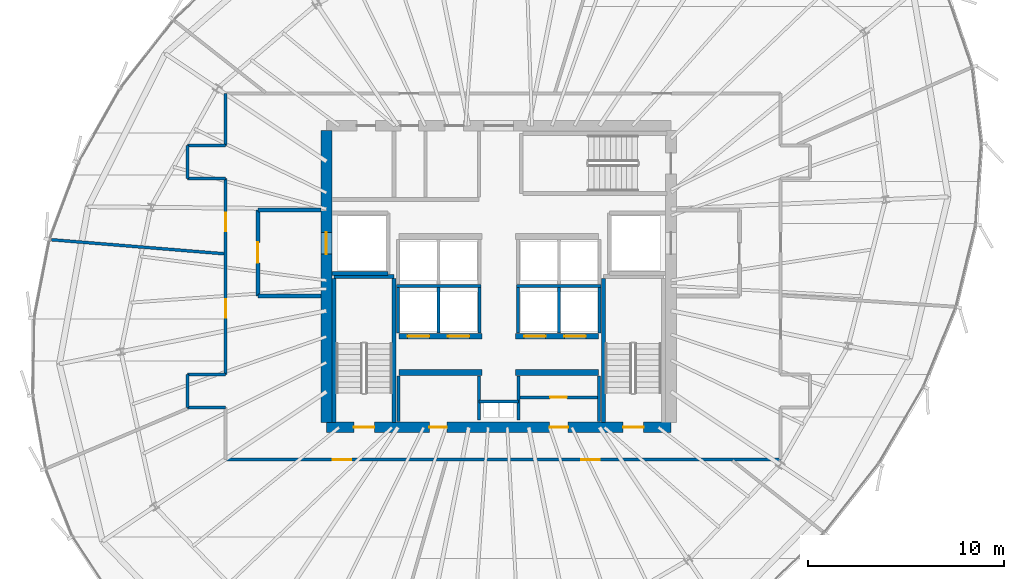
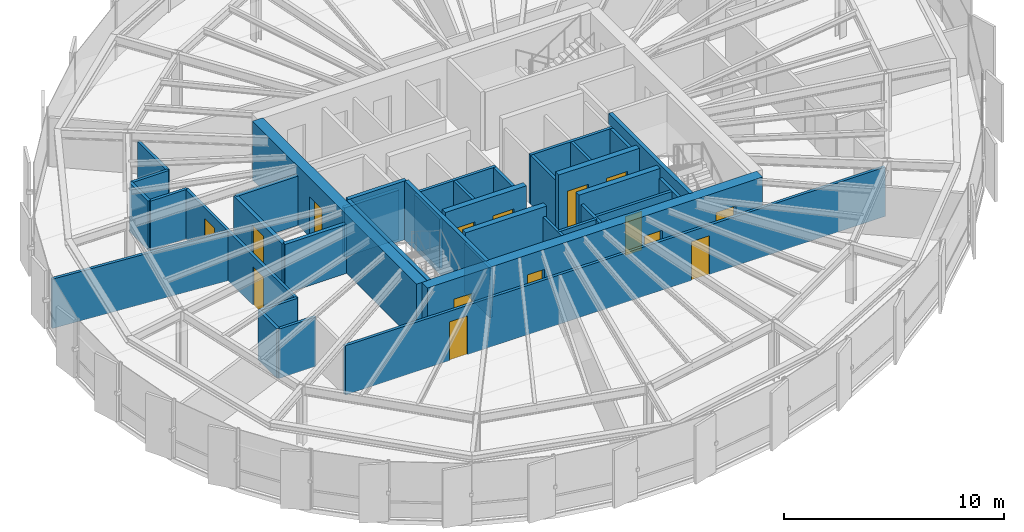
# One storey, part 30 of 35: 38 walls, 15 doors, 15 openings.
"""IFC4 building model written with IfcOpenShell, lengths in metres."""

from ifc_helpers import new_model, si_unit, direction, frame, frame_2d, origin, place, context, subcontext, project, spatial, rectangle, extrude, source, transform, mapped, material, layer, layer_set, type_object, element, fill, save


model = new_model("IFC4")

# Units and contexts
model_context = context("Model", 3, precision=1e-05, world=origin(), true_north=direction((0.0, 1.0)))
body_context = subcontext(model_context, "Body", "Model", "MODEL_VIEW")
ifc_project = project(units=[si_unit("LENGTHUNIT", "METRE"), si_unit("AREAUNIT", "SQUARE_METRE"), si_unit("VOLUMEUNIT", "CUBIC_METRE"), si_unit("PLANEANGLEUNIT", "RADIAN"), si_unit("MASSUNIT", "GRAM", prefix="KILO"), si_unit("THERMODYNAMICTEMPERATUREUNIT", "KELVIN")], contexts=[model_context])

# Site, building, storey
site_placement = place(None, origin())
site = spatial("IfcSite", under=ifc_project, at=site_placement, CompositionType="ELEMENT")
building_placement = place(site_placement, origin())
building = spatial("IfcBuilding", under=site, at=building_placement, Name="Kethvar Cultural Tower", CompositionType="ELEMENT")
storey_placement = place(building_placement, frame((0.0, 0.0, 193.89990234375)))
storey = spatial("IfcBuildingStorey", under=building, at=storey_placement, Name="L50", CompositionType="ELEMENT", Elevation=193.89990234375)

# Wall, openings, doors
ifc_material_1 = material(Name="Concrete C60/75", Category="concrete")
ifc_layer_1 = layer(ifc_material_1, 0.550048828125, Name="Concrete C60/75", Category="concrete")
ifc_layer_set_1 = layer_set([ifc_layer_1], Name="Concrete C60/75 (550 mm)")
wall_type_1 = type_object("IfcWallType", Name="WL-CORE-550", PredefinedType="SHEAR", material=ifc_layer_set_1)
wall_1_placement = place(storey_placement, frame((38.0, 20.10009765625, 0.0), z_axis=(0.0, 0.0, 1.0), x_axis=(1.0, 0.0, 0.0)))
wall_1 = element("IfcWall", 1, at=wall_1_placement, inside=storey, type_object=wall_type_1, Name="L50 Core Shear Wall S", PredefinedType="SHEAR", context=body_context, shape_type="SweptSolid", body=[
    extrude(rectangle(XDim=17.60009765625, YDim=0.550048828125, at=frame_2d((8.800048828125, 0.0))), origin(), (0.0, 0.0, 1.0), 3.260009765625),
])
opening_1_placement = place(wall_1_placement, frame((1.39990234375, 0.0, 0.0)))
opening_1 = element("IfcOpeningElement", 2, at=opening_1_placement, cuts=wall_1, Name="Opening D-L50-S1", PredefinedType="OPENING", context=body_context, shape_type="SweptSolid", body=[
    extrude(rectangle(XDim=1.050048828125, YDim=2.14990234375, at=frame_2d((0.52490234375, 1.074951171875))), frame((0.0, 0.284912109375, 0.0), z_axis=(0.0, -1.0, 0.0), x_axis=(1.0, 0.0, 0.0)), (0.0, 0.0, 1.0), 0.570068359375),
])
opening_2_placement = place(wall_1_placement, frame((15.14990234375, 0.0, 0.0)))
opening_2 = element("IfcOpeningElement", 3, at=opening_2_placement, cuts=wall_1, Name="Opening D-L50-ST2", PredefinedType="OPENING", context=body_context, shape_type="SweptSolid", body=[
    extrude(rectangle(XDim=1.050048828125, YDim=2.14990234375, at=frame_2d((0.52490234375, 1.074951171875))), frame((0.0, 0.284912109375, 0.0), z_axis=(0.0, -1.0, 0.0), x_axis=(1.0, 0.0, 0.0)), (0.0, 0.0, 1.0), 0.570068359375),
])
opening_3_placement = place(wall_1_placement, frame((5.25, 0.0, 0.0)))
opening_3 = element("IfcOpeningElement", 4, at=opening_3_placement, cuts=wall_1, Name="Opening D-L50-V1", PredefinedType="OPENING", context=body_context, shape_type="SweptSolid", body=[
    extrude(rectangle(XDim=0.89990234375, YDim=2.14990234375, at=frame_2d((0.449951171875, 1.074951171875))), frame((0.0, 0.284912109375, 0.0), z_axis=(0.0, -1.0, 0.0), x_axis=(1.0, 0.0, 0.0)), (0.0, 0.0, 1.0), 0.570068359375),
])
opening_4_placement = place(wall_1_placement, frame((11.39990234375, 0.0, 0.0)))
opening_4 = element("IfcOpeningElement", 5, at=opening_4_placement, cuts=wall_1, Name="Opening D-L50-V2", PredefinedType="OPENING", context=body_context, shape_type="SweptSolid", body=[
    extrude(rectangle(XDim=0.949951171875, YDim=2.14990234375, at=frame_2d((0.47509765625, 1.074951171875))), frame((0.0, 0.284912109375, 0.0), z_axis=(0.0, -1.0, 0.0), x_axis=(1.0, 0.0, 0.0)), (0.0, 0.0, 1.0), 0.570068359375),
])
ifc_material_2 = material(Name="Steel S355J2", Category="steel")
door_type_1 = type_object("IfcDoorType", Name="DR-FD60-1050", OperationType="NOTDEFINED", PredefinedType="DOOR", material=ifc_material_2)
shared_shape_1 = source(origin(), body_context, "Body", "SweptSolid", [
    extrude(rectangle(XDim=1.050048828125, YDim=2.14990234375, at=frame_2d((0.52490234375, 1.074951171875))), frame((0.0, 0.02490234375, 0.0), z_axis=(0.0, -1.0, 0.0), x_axis=(1.0, 0.0, 0.0)), (0.0, 0.0, 1.0), 0.050048828125),
])
door_1_placement = place(opening_1_placement, origin())
door_1 = element("IfcDoor", 6, at=door_1_placement, inside=storey, type_object=door_type_1, Name="L50 Exit Stair 1 Door", OperationType="SINGLE_SWING_LEFT", OverallHeight=2.14990234375, OverallWidth=1.050048828125, PredefinedType="DOOR", context=body_context, shape_type="MappedRepresentation", body=[
    mapped(shared_shape_1, transform((0.0, 0.0, 0.0), scale=1.0)),
])
fill(opening_1, door_1)
door_2_placement = place(opening_2_placement, origin())
door_2 = element("IfcDoor", 7, at=door_2_placement, inside=storey, type_object=door_type_1, Name="L50 Exit Stair 2 Door", OperationType="SINGLE_SWING_RIGHT", OverallHeight=2.14990234375, OverallWidth=1.050048828125, PredefinedType="DOOR", context=body_context, shape_type="MappedRepresentation", body=[
    mapped(shared_shape_1, transform((0.0, 0.0, 0.0), scale=1.0)),
])
fill(opening_2, door_2)
ifc_material_3 = material(Name="Architectural Oak Timber", Category="wood")
door_type_2 = type_object("IfcDoorType", Name="DR-FD30-950", OperationType="NOTDEFINED", PredefinedType="DOOR", material=ifc_material_3)
shared_shape_2 = source(origin(), body_context, "Body", "SweptSolid", [
    extrude(rectangle(XDim=0.949951171875, YDim=2.14990234375, at=frame_2d((0.47509765625, 1.074951171875))), frame((0.0, 0.02490234375, 0.0), z_axis=(0.0, -1.0, 0.0), x_axis=(1.0, 0.0, 0.0)), (0.0, 0.0, 1.0), 0.050048828125),
])
door_3_placement = place(opening_4_placement, origin())
door_3 = element("IfcDoor", 8, at=door_3_placement, inside=storey, type_object=door_type_2, Name="L50 Bindery Supply Door", OperationType="SINGLE_SWING_RIGHT", OverallHeight=2.14990234375, OverallWidth=0.949951171875, PredefinedType="DOOR", context=body_context, shape_type="MappedRepresentation", body=[
    mapped(shared_shape_2, transform((0.0, 0.0, 0.0), scale=1.0)),
])
fill(opening_4, door_3)
door_type_3 = type_object("IfcDoorType", Name="DR-FD30-900", OperationType="NOTDEFINED", PredefinedType="DOOR", material=ifc_material_3)
shared_shape_3 = source(origin(), body_context, "Body", "SweptSolid", [
    extrude(rectangle(XDim=0.89990234375, YDim=2.14990234375, at=frame_2d((0.449951171875, 1.074951171875))), frame((0.0, 0.02490234375, 0.0), z_axis=(0.0, -1.0, 0.0), x_axis=(1.0, 0.0, 0.0)), (0.0, 0.0, 1.0), 0.050048828125),
])
door_4_placement = place(opening_3_placement, origin())
door_4 = element("IfcDoor", 9, at=door_4_placement, inside=storey, type_object=door_type_3, Name="L50 Folio Vault Door", OperationType="SINGLE_SWING_LEFT", OverallHeight=2.14990234375, OverallWidth=0.89990234375, PredefinedType="DOOR", context=body_context, shape_type="MappedRepresentation", body=[
    mapped(shared_shape_3, transform((0.0, 0.0, 0.0), scale=1.0)),
])
fill(opening_3, door_4)

# Wall, opening, door
wall_2_placement = place(storey_placement, frame((38.0, 35.260009765625, 0.0), z_axis=(0.0, 0.0, 1.0), x_axis=(0.0, -1.0, 0.0)))
wall_2 = element("IfcWall", 10, at=wall_2_placement, inside=storey, type_object=wall_type_1, Name="L50 Core Shear Wall W", PredefinedType="SHEAR", context=body_context, shape_type="SweptSolid", body=[
    extrude(rectangle(XDim=14.919921875, YDim=0.550048828125, at=frame_2d((7.4599609375, 0.0))), origin(), (0.0, 0.0, 1.0), 3.260009765625),
])
opening_5_placement = place(wall_2_placement, frame((5.2099609375, 0.0, 0.0)))
opening_5 = element("IfcOpeningElement", 11, at=opening_5_placement, cuts=wall_2, Name="Opening LD-1", PredefinedType="OPENING", context=body_context, shape_type="SweptSolid", body=[
    extrude(rectangle(XDim=1.10009765625, YDim=2.199951171875, at=frame_2d((0.550048828125, 1.10009765625))), frame((0.0, 0.284912109375, 0.0), z_axis=(0.0, -1.0, 0.0), x_axis=(1.0, 0.0, 0.0)), (0.0, 0.0, 1.0), 0.570068359375),
])
door_type_4 = type_object("IfcDoorType", Name="DR-LIFT-SLIDE-1100", OperationType="NOTDEFINED", PredefinedType="DOOR", material=ifc_material_2)
shared_shape_4 = source(origin(), body_context, "Body", "SweptSolid", [
    extrude(rectangle(XDim=1.10009765625, YDim=2.199951171875, at=frame_2d((0.550048828125, 1.10009765625))), frame((0.0, 0.02490234375, 0.0), z_axis=(0.0, -1.0, 0.0), x_axis=(1.0, 0.0, 0.0)), (0.0, 0.0, 1.0), 0.050048828125),
])
door_5_placement = place(opening_5_placement, origin())
door_5 = element("IfcDoor", 12, at=door_5_placement, inside=storey, type_object=door_type_4, Name="L50 Firefighting Lift Landing Door FFL-01", OperationType="SLIDING_TO_LEFT", OverallHeight=2.199951171875, OverallWidth=1.10009765625, PredefinedType="DOOR", context=body_context, shape_type="MappedRepresentation", body=[
    mapped(shared_shape_4, transform((0.0, 0.0, 0.0), scale=1.0)),
])
fill(opening_5, door_5)

# Walls
ifc_material_4 = material(Name="Gypsum Fireboard Partition")
ifc_layer_2 = layer(ifc_material_4, 0.14990234375, Name="Gypsum Fireboard Partition")
ifc_layer_set_2 = layer_set([ifc_layer_2], Name="Gypsum Fireboard Partition (150 mm)")
wall_type_2 = type_object("IfcWallType", Name="WL-FIRE-150", PredefinedType="PARTITIONING", material=ifc_layer_set_2)
wall_3_placement = place(storey_placement, frame((45.800048828125, 21.419921875, 0.0), z_axis=(0.0, 0.0, 1.0), x_axis=(1.0, 0.0, 0.0)))
element("IfcWall", 13, at=wall_3_placement, inside=storey, type_object=wall_type_2, Name="L50 Core Riser Wall", PredefinedType="PARTITIONING", context=body_context, shape_type="SweptSolid", body=[
    extrude(rectangle(XDim=2.0, YDim=0.14990234375, at=frame_2d((1.0, 0.0))), origin(), (0.0, 0.0, 1.0), 2.735107421875),
])
for number, where, z_axis, x_axis, name in (
    (14, (45.800048828125, 20.47998046875, 0.0), (0.0, 0.0, 1.0), (0.0, 1.0, 0.0), "L50 Core Riser West Wall"),
    (15, (47.800048828125, 20.47998046875, 0.0), (0.0, 0.0, 1.0), (0.0, 1.0, 0.0), "L50 Core Riser East Wall"),
):
    element("IfcWall", number, at=place(storey_placement, frame(where, z_axis=z_axis, x_axis=x_axis)), inside=storey, type_object=wall_type_2, Name=name, PredefinedType="PARTITIONING", context=body_context, shape_type="SweptSolid", body=[
        extrude(rectangle(XDim=2.239990234375, YDim=0.14990234375, at=frame_2d((1.1201171875, 0.0))), origin(), (0.0, 0.0, 1.0), 2.735107421875),
    ])
for number, where, z_axis, x_axis, name in (
    (16, (41.679931640625, 20.385009765625, 0.0), (0.0, 0.0, 1.0), (0.0, 1.0, 0.0), "L50 Reclaimed West Outer Wall"),
    (17, (51.919921875, 20.385009765625, 0.0), (0.0, 0.0, 1.0), (0.0, 1.0, 0.0), "L50 Reclaimed East Outer Wall"),
):
    element("IfcWall", number, at=place(storey_placement, frame(where, z_axis=z_axis, x_axis=x_axis)), inside=storey, type_object=wall_type_2, Name=name, PredefinedType="PARTITIONING", context=body_context, shape_type="SweptSolid", body=[
        extrude(rectangle(XDim=2.344970703125, YDim=0.14990234375, at=frame_2d((1.17236328125, 0.0))), origin(), (0.0, 0.0, 1.0), 2.735107421875),
    ])

# Wall, opening, door
wall_4_placement = place(storey_placement, frame((47.8798828125, 21.6201171875, 0.0), z_axis=(0.0, 0.0, 1.0), x_axis=(1.0, 0.0, 0.0)))
wall_4 = element("IfcWall", 18, at=wall_4_placement, inside=storey, type_object=wall_type_2, Name="L50 Pantry Gallery Wall E", PredefinedType="PARTITIONING", context=body_context, shape_type="SweptSolid", body=[
    extrude(rectangle(XDim=3.960205078125, YDim=0.14990234375, at=frame_2d((1.97998046875, 0.0))), origin(), (0.0, 0.0, 1.0), 2.735107421875),
])
opening_6_placement = place(wall_4_placement, frame((1.550048828125, 0.0, 0.0)))
opening_6 = element("IfcOpeningElement", 19, at=opening_6_placement, cuts=wall_4, Name="Opening D-L50-V3", PredefinedType="OPENING", context=body_context, shape_type="SweptSolid", body=[
    extrude(rectangle(XDim=0.85009765625, YDim=2.14990234375, at=frame_2d((0.425048828125, 1.074951171875))), frame((0.0, 0.0849609375, 0.0), z_axis=(0.0, -1.0, 0.0), x_axis=(1.0, 0.0, 0.0)), (0.0, 0.0, 1.0), 0.169921875),
])
door_type_5 = type_object("IfcDoorType", Name="DR-FD30-850", OperationType="NOTDEFINED", PredefinedType="DOOR", material=ifc_material_2)
shared_shape_5 = source(origin(), body_context, "Body", "SweptSolid", [
    extrude(rectangle(XDim=0.85009765625, YDim=2.14990234375, at=frame_2d((0.425048828125, 1.074951171875))), frame((0.0, 0.02490234375, 0.0), z_axis=(0.0, -1.0, 0.0), x_axis=(1.0, 0.0, 0.0)), (0.0, 0.0, 1.0), 0.050048828125),
])
door_6_placement = place(opening_6_placement, origin())
door_6 = element("IfcDoor", 20, at=door_6_placement, inside=storey, type_object=door_type_5, Name="L50 Inner Pantry Gallery Door", OperationType="SINGLE_SWING_RIGHT", OverallHeight=2.14990234375, OverallWidth=0.85009765625, PredefinedType="DOOR", context=body_context, shape_type="MappedRepresentation", body=[
    mapped(shared_shape_5, transform((0.0, 0.0, 0.0), scale=1.0)),
])
fill(opening_6, door_6)

# Walls
wall_5_placement = place(storey_placement, frame((41.580078125, 27.324951171875, 0.0), z_axis=(0.0, 0.0, 1.0), x_axis=(1.0, 0.0, 0.0)))
element("IfcWall", 21, at=wall_5_placement, inside=storey, type_object=wall_type_2, Name="L50 Mid-High Lift Shaft Back Wall W", PredefinedType="PARTITIONING", context=body_context, shape_type="SweptSolid", body=[
    extrude(rectangle(XDim=4.31982421875, YDim=0.14990234375, at=frame_2d((2.159912109375, 0.0))), origin(), (0.0, 0.0, 1.0), 2.735107421875),
])
wall_6_placement = place(storey_placement, frame((47.699951171875, 27.324951171875, 0.0), z_axis=(0.0, 0.0, 1.0), x_axis=(1.0, 0.0, 0.0)))
element("IfcWall", 22, at=wall_6_placement, inside=storey, type_object=wall_type_2, Name="L50 Mid-High Lift Shaft Back Wall E", PredefinedType="PARTITIONING", context=body_context, shape_type="SweptSolid", body=[
    extrude(rectangle(XDim=4.320068359375, YDim=0.14990234375, at=frame_2d((2.16015625, 0.0))), origin(), (0.0, 0.0, 1.0), 2.735107421875),
])
for number, where, z_axis, x_axis, name in (
    (23, (41.64990234375, 24.919921875, 0.0), (0.0, 0.0, 1.0), (0.0, 1.0, 0.0), "L50 Mid-Rise Lift Shaft Outer Wall W"),
    (24, (43.72509765625, 24.919921875, 0.0), (0.0, 0.0, 1.0), (0.0, 1.0, 0.0), "L50 Mid-Rise Lift Shaft Divider W"),
    (25, (45.824951171875, 24.919921875, 0.0), (0.0, 0.0, 1.0), (0.0, 1.0, 0.0), "L50 Mid-Rise Lift Shaft Concourse Wall W"),
    (26, (47.77490234375, 24.919921875, 0.0), (0.0, 0.0, 1.0), (0.0, 1.0, 0.0), "L50 Mid-Rise Lift Shaft Concourse Wall E"),
    (27, (49.875, 24.919921875, 0.0), (0.0, 0.0, 1.0), (0.0, 1.0, 0.0), "L50 Mid-Rise Lift Shaft Divider E"),
    (28, (51.949951171875, 24.919921875, 0.0), (0.0, 0.0, 1.0), (0.0, 1.0, 0.0), "L50 Mid-Rise Lift Shaft Outer Wall E"),
):
    element("IfcWall", number, at=place(storey_placement, frame(where, z_axis=z_axis, x_axis=x_axis)), inside=storey, type_object=wall_type_2, Name=name, PredefinedType="PARTITIONING", context=body_context, shape_type="SweptSolid", body=[
        extrude(rectangle(XDim=2.320068359375, YDim=0.14990234375, at=frame_2d((1.16015625, 0.0))), origin(), (0.0, 0.0, 1.0), 2.735107421875),
    ])

# Wall, openings, doors
wall_7_placement = place(storey_placement, frame((32.85009765625, 18.449951171875, 0.0), z_axis=(0.0, 0.0, 1.0), x_axis=(1.0, 0.0, 0.0)))
wall_7 = element("IfcWall", 29, at=wall_7_placement, inside=storey, type_object=wall_type_2, Name="L50 Corridor Rated Wall S", PredefinedType="PARTITIONING", context=body_context, shape_type="SweptSolid", body=[
    extrude(rectangle(XDim=28.349853515625, YDim=0.14990234375, at=frame_2d((14.1748046875, 0.0))), origin(), (0.0, 0.0, 1.0), 2.735107421875),
])
opening_7_placement = place(wall_7_placement, frame((5.460205078125, 0.0, 0.0)))
opening_7 = element("IfcOpeningElement", 30, at=opening_7_placement, cuts=wall_7, Name="Opening D-L50-01", PredefinedType="OPENING", context=body_context, shape_type="SweptSolid", body=[
    extrude(rectangle(XDim=0.949951171875, YDim=2.14990234375, at=frame_2d((0.47509765625, 1.074951171875))), frame((0.0, 0.0849609375, 0.0), z_axis=(0.0, -1.0, 0.0), x_axis=(1.0, 0.0, 0.0)), (0.0, 0.0, 1.0), 0.169921875),
])
opening_8_placement = place(wall_7_placement, frame((18.165283203125, 0.0, 0.0)))
opening_8 = element("IfcOpeningElement", 31, at=opening_8_placement, cuts=wall_7, Name="Opening D-L50-02", PredefinedType="OPENING", context=body_context, shape_type="SweptSolid", body=[
    extrude(rectangle(XDim=0.949951171875, YDim=2.14990234375, at=frame_2d((0.47509765625, 1.074951171875))), frame((0.0, 0.0849609375, 0.0), z_axis=(0.0, -1.0, 0.0), x_axis=(1.0, 0.0, 0.0)), (0.0, 0.0, 1.0), 0.169921875),
])
door_7_placement = place(opening_7_placement, origin())
door_7 = element("IfcDoor", 32, at=door_7_placement, inside=storey, type_object=door_type_2, Name="L50 Contemporary Art Salon 01 Door", OperationType="SINGLE_SWING_LEFT", OverallHeight=2.14990234375, OverallWidth=0.949951171875, PredefinedType="DOOR", context=body_context, shape_type="MappedRepresentation", body=[
    mapped(shared_shape_2, transform((0.0, 0.0, 0.0), scale=1.0)),
])
fill(opening_7, door_7)
door_8_placement = place(opening_8_placement, origin())
door_8 = element("IfcDoor", 33, at=door_8_placement, inside=storey, type_object=door_type_2, Name="L50 Main Public Reading Library 02 Door", OperationType="SINGLE_SWING_RIGHT", OverallHeight=2.14990234375, OverallWidth=0.949951171875, PredefinedType="DOOR", context=body_context, shape_type="MappedRepresentation", body=[
    mapped(shared_shape_2, transform((0.0, 0.0, 0.0), scale=1.0)),
])
fill(opening_8, door_8)

# Walls
wall_8_placement = place(storey_placement, frame((32.85009765625, 37.14990234375, 0.0), z_axis=(0.0, 0.0, 1.0), x_axis=(0.0, -1.0, 0.0)))
element("IfcWall", 34, at=wall_8_placement, inside=storey, type_object=wall_type_2, Name="L50 Corridor Rated Wall W2", PredefinedType="PARTITIONING", context=body_context, shape_type="SweptSolid", body=[
    extrude(rectangle(XDim=2.64990234375, YDim=0.14990234375, at=frame_2d((1.324951171875, 0.0))), origin(), (0.0, 0.0, 1.0), 2.735107421875),
])
wall_9_placement = place(storey_placement, frame((32.85009765625, 34.5, 0.0), z_axis=(0.0, 0.0, 1.0), x_axis=(-1.0, 0.0, 0.0)))
element("IfcWall", 35, at=wall_9_placement, inside=storey, type_object=wall_type_2, Name="L50 Corridor Rated Wall WNT", PredefinedType="PARTITIONING", context=body_context, shape_type="SweptSolid", body=[
    extrude(rectangle(XDim=1.9501953125, YDim=0.14990234375, at=frame_2d((0.97509765625, 0.0))), origin(), (0.0, 0.0, 1.0), 2.735107421875),
])
wall_10_placement = place(storey_placement, frame((30.89990234375, 34.5, 0.0), z_axis=(0.0, 0.0, 1.0), x_axis=(0.0, -1.0, 0.0)))
element("IfcWall", 36, at=wall_10_placement, inside=storey, type_object=wall_type_2, Name="L50 Corridor Rated Wall WN", PredefinedType="PARTITIONING", context=body_context, shape_type="SweptSolid", body=[
    extrude(rectangle(XDim=1.699951171875, YDim=0.14990234375, at=frame_2d((0.85009765625, 0.0))), origin(), (0.0, 0.0, 1.0), 2.735107421875),
])
wall_11_placement = place(storey_placement, frame((30.89990234375, 32.800048828125, 0.0), z_axis=(0.0, 0.0, 1.0), x_axis=(1.0, 0.0, 0.0)))
element("IfcWall", 37, at=wall_11_placement, inside=storey, type_object=wall_type_2, Name="L50 Corridor Rated Wall WNB", PredefinedType="PARTITIONING", context=body_context, shape_type="SweptSolid", body=[
    extrude(rectangle(XDim=1.9501953125, YDim=0.14990234375, at=frame_2d((0.97509765625, 0.0))), origin(), (0.0, 0.0, 1.0), 2.735107421875),
])

# Wall, openings, doors
wall_12_placement = place(storey_placement, frame((32.85009765625, 32.800048828125, 0.0), z_axis=(0.0, 0.0, 1.0), x_axis=(0.0, -1.0, 0.0)))
wall_12 = element("IfcWall", 38, at=wall_12_placement, inside=storey, type_object=wall_type_2, Name="L50 Corridor Rated Wall WM", PredefinedType="PARTITIONING", context=body_context, shape_type="SweptSolid", body=[
    extrude(rectangle(XDim=10.0, YDim=0.14990234375, at=frame_2d((5.0, 0.0))), origin(), (0.0, 0.0, 1.0), 2.735107421875),
])
opening_9_placement = place(wall_12_placement, frame((1.737548828125, 0.0, 0.0)))
opening_9 = element("IfcOpeningElement", 39, at=opening_9_placement, cuts=wall_12, Name="Opening D-L50-07", PredefinedType="OPENING", context=body_context, shape_type="SweptSolid", body=[
    extrude(rectangle(XDim=0.949951171875, YDim=2.14990234375, at=frame_2d((0.47509765625, 1.074951171875))), frame((0.0, 0.0849609375, 0.0), z_axis=(0.0, -1.0, 0.0), x_axis=(1.0, 0.0, 0.0)), (0.0, 0.0, 1.0), 0.169921875),
])
opening_10_placement = place(wall_12_placement, frame((6.156982421875, 0.0, 0.0)))
opening_10 = element("IfcOpeningElement", 40, at=opening_10_placement, cuts=wall_12, Name="Opening D-L50-08", PredefinedType="OPENING", context=body_context, shape_type="SweptSolid", body=[
    extrude(rectangle(XDim=0.949951171875, YDim=2.14990234375, at=frame_2d((0.47509765625, 1.074951171875))), frame((0.0, 0.0849609375, 0.0), z_axis=(0.0, -1.0, 0.0), x_axis=(1.0, 0.0, 0.0)), (0.0, 0.0, 1.0), 0.169921875),
])
door_9_placement = place(opening_9_placement, origin())
door_9 = element("IfcDoor", 41, at=door_9_placement, inside=storey, type_object=door_type_2, Name="L50 Institute Tea Pantry 07 Door", OperationType="SINGLE_SWING_LEFT", OverallHeight=2.14990234375, OverallWidth=0.949951171875, PredefinedType="DOOR", context=body_context, shape_type="MappedRepresentation", body=[
    mapped(shared_shape_2, transform((0.0, 0.0, 0.0), scale=1.0)),
])
fill(opening_9, door_9)
door_10_placement = place(opening_10_placement, origin())
door_10 = element("IfcDoor", 42, at=door_10_placement, inside=storey, type_object=door_type_2, Name="L50 Manuscript Archive Store 08 Door", OperationType="SINGLE_SWING_RIGHT", OverallHeight=2.14990234375, OverallWidth=0.949951171875, PredefinedType="DOOR", context=body_context, shape_type="MappedRepresentation", body=[
    mapped(shared_shape_2, transform((0.0, 0.0, 0.0), scale=1.0)),
])
fill(opening_10, door_10)

# Walls
wall_13_placement = place(storey_placement, frame((32.85009765625, 22.800048828125, 0.0), z_axis=(0.0, 0.0, 1.0), x_axis=(-1.0, 0.0, 0.0)))
element("IfcWall", 43, at=wall_13_placement, inside=storey, type_object=wall_type_2, Name="L50 Corridor Rated Wall WST", PredefinedType="PARTITIONING", context=body_context, shape_type="SweptSolid", body=[
    extrude(rectangle(XDim=1.9501953125, YDim=0.14990234375, at=frame_2d((0.97509765625, 0.0))), origin(), (0.0, 0.0, 1.0), 2.735107421875),
])
wall_14_placement = place(storey_placement, frame((30.89990234375, 22.800048828125, 0.0), z_axis=(0.0, 0.0, 1.0), x_axis=(0.0, -1.0, 0.0)))
element("IfcWall", 44, at=wall_14_placement, inside=storey, type_object=wall_type_2, Name="L50 Corridor Rated Wall WS", PredefinedType="PARTITIONING", context=body_context, shape_type="SweptSolid", body=[
    extrude(rectangle(XDim=1.699951171875, YDim=0.14990234375, at=frame_2d((0.85009765625, 0.0))), origin(), (0.0, 0.0, 1.0), 2.735107421875),
])
wall_15_placement = place(storey_placement, frame((30.89990234375, 21.10009765625, 0.0), z_axis=(0.0, 0.0, 1.0), x_axis=(1.0, 0.0, 0.0)))
element("IfcWall", 45, at=wall_15_placement, inside=storey, type_object=wall_type_2, Name="L50 Corridor Rated Wall WSB", PredefinedType="PARTITIONING", context=body_context, shape_type="SweptSolid", body=[
    extrude(rectangle(XDim=1.9501953125, YDim=0.14990234375, at=frame_2d((0.97509765625, 0.0))), origin(), (0.0, 0.0, 1.0), 2.735107421875),
])
ifc_material_5 = material(Name="Concrete C40/50", Category="concrete")
ifc_layer_3 = layer(ifc_material_5, 0.199951171875, Name="Concrete C40/50", Category="concrete")
ifc_layer_set_3 = layer_set([ifc_layer_3], Name="Concrete C40/50 (200 mm)")
wall_type_3 = type_object("IfcWallType", Name="WL-FIRE-200", PredefinedType="PARTITIONING", material=ifc_layer_set_3)
wall_16_placement = place(storey_placement, frame((38.284912109375, 27.949951171875, 0.0), z_axis=(0.0, 0.0, 1.0), x_axis=(1.0, 0.0, 0.0)))
element("IfcWall", 46, at=wall_16_placement, inside=storey, type_object=wall_type_3, Name="L50 FFL-01 Shaft South Wall", PredefinedType="PARTITIONING", context=body_context, shape_type="SweptSolid", body=[
    extrude(rectangle(XDim=2.864990234375, YDim=0.199951171875, at=frame_2d((1.4326171875, 0.0))), origin(), (0.0, 0.0, 1.0), 2.735107421875),
])

# Wall, opening, door
wall_17_placement = place(storey_placement, frame((34.5, 31.199951171875, 0.0), z_axis=(0.0, 0.0, 1.0), x_axis=(0.0, -1.0, 0.0)))
wall_17 = element("IfcWall", 47, at=wall_17_placement, inside=storey, type_object=wall_type_3, Name="L50 Firefighting Lobby 1 Wall", PredefinedType="PARTITIONING", context=body_context, shape_type="SweptSolid", body=[
    extrude(rectangle(XDim=4.39990234375, YDim=0.199951171875, at=frame_2d((2.199951171875, 0.0))), origin(), (0.0, 0.0, 1.0), 2.735107421875),
])
opening_11_placement = place(wall_17_placement, frame((1.64990234375, 0.0, 0.0)))
opening_11 = element("IfcOpeningElement", 48, at=opening_11_placement, cuts=wall_17, Name="Opening D-L50-F1", PredefinedType="OPENING", context=body_context, shape_type="SweptSolid", body=[
    extrude(rectangle(XDim=1.050048828125, YDim=2.14990234375, at=frame_2d((0.52490234375, 1.074951171875))), frame((0.0, 0.10986328125, 0.0), z_axis=(0.0, -1.0, 0.0), x_axis=(1.0, 0.0, 0.0)), (0.0, 0.0, 1.0), 0.219970703125),
])
door_11_placement = place(opening_11_placement, origin())
door_11 = element("IfcDoor", 49, at=door_11_placement, inside=storey, type_object=door_type_1, Name="L50 Firefighting Lobby 1 Fire Door", OperationType="SINGLE_SWING_LEFT", OverallHeight=2.14990234375, OverallWidth=1.050048828125, PredefinedType="DOOR", context=body_context, shape_type="MappedRepresentation", body=[
    mapped(shared_shape_1, transform((0.0, 0.0, 0.0), scale=1.0)),
])
fill(opening_11, door_11)

# Walls
for number, where, z_axis, x_axis, name in (
    (50, (34.5, 26.800048828125, 0.0), (0.0, 0.0, 1.0), (1.0, 0.0, 0.0), "L50 FF Lobby 1 South Wall"),
    (51, (34.5, 31.199951171875, 0.0), (0.0, 0.0, 1.0), (1.0, 0.0, 0.0), "L50 FF Lobby 1 North Wall"),
):
    element("IfcWall", number, at=place(storey_placement, frame(where, z_axis=z_axis, x_axis=x_axis)), inside=storey, type_object=wall_type_3, Name=name, PredefinedType="PARTITIONING", context=body_context, shape_type="SweptSolid", body=[
        extrude(rectangle(XDim=3.215087890625, YDim=0.199951171875, at=frame_2d((1.607421875, 0.0))), origin(), (0.0, 0.0, 1.0), 2.735107421875),
    ])
ifc_material_6 = material(Name="Gypsum Acoustic Partition")
ifc_layer_4 = layer(ifc_material_6, 0.14990234375, Name="Gypsum Acoustic Partition")
ifc_layer_set_4 = layer_set([ifc_layer_4], Name="Gypsum Acoustic Partition (150 mm)")
wall_type_4 = type_object("IfcWallType", Name="WL-PART-150", PredefinedType="PARTITIONING", material=ifc_layer_set_4)
wall_18_placement = place(storey_placement, frame((32.770263671875, 28.96142578125, 0.0), z_axis=(0.0, 0.0, 1.0), x_axis=(-0.996701457141, 0.081155439328, 0.0)))
element("IfcWall", 52, at=wall_18_placement, inside=storey, type_object=wall_type_4, Name="L50 Radial Partition Wall 08", PredefinedType="PARTITIONING", context=body_context, shape_type="SweptSolid", body=[
    extrude(rectangle(XDim=8.84130859375, YDim=0.14990234375, at=frame_2d((4.420654296875, 0.0))), origin(), (0.0, 0.0, 1.0), 2.735107421875),
])
ifc_material_7 = material(Name="Concrete C50/60", Category="concrete")
ifc_layer_5 = layer(ifc_material_7, 0.300048828125, Name="Concrete C50/60", Category="concrete")
ifc_layer_set_5 = layer_set([ifc_layer_5], Name="Concrete C50/60 (300 mm)")
wall_type_5 = type_object("IfcWallType", Name="WL-SHAFT-300", PredefinedType="SHEAR", material=ifc_layer_set_5)
for number, where, z_axis, x_axis, name in (
    (53, (41.699951171875, 22.89990234375, 0.0), (0.0, 0.0, 1.0), (1.0, 0.0, 0.0), "L50 Core Lift Spine Wall MID1W"),
    (54, (47.64990234375, 22.89990234375, 0.0), (0.0, 0.0, 1.0), (1.0, 0.0, 0.0), "L50 Core Lift Spine Wall MID1E"),
):
    element("IfcWall", number, at=place(storey_placement, frame(where, z_axis=z_axis, x_axis=x_axis)), inside=storey, type_object=wall_type_5, Name=name, PredefinedType="SHEAR", context=body_context, shape_type="SweptSolid", body=[
        extrude(rectangle(XDim=4.25, YDim=0.300048828125, at=frame_2d((2.125, 0.0))), origin(), (0.0, 0.0, 1.0), 3.260009765625),
    ])

# Wall, openings, doors
wall_19_placement = place(storey_placement, frame((41.699951171875, 24.75, 0.0), z_axis=(0.0, 0.0, 1.0), x_axis=(1.0, 0.0, 0.0)))
wall_19 = element("IfcWall", 55, at=wall_19_placement, inside=storey, type_object=wall_type_5, Name="L50 Core Lift Spine Wall MID2W", PredefinedType="SHEAR", context=body_context, shape_type="SweptSolid", body=[
    extrude(rectangle(XDim=4.25, YDim=0.300048828125, at=frame_2d((2.125, 0.0))), origin(), (0.0, 0.0, 1.0), 3.260009765625),
])
opening_12_placement = place(wall_19_placement, frame((0.449951171875, 0.0, 0.0)))
opening_12 = element("IfcOpeningElement", 56, at=opening_12_placement, cuts=wall_19, Name="Opening LD-M1", PredefinedType="OPENING", context=body_context, shape_type="SweptSolid", body=[
    extrude(rectangle(XDim=1.10009765625, YDim=2.199951171875, at=frame_2d((0.550048828125, 1.10009765625))), frame((0.0, 0.159912109375, 0.0), z_axis=(0.0, -1.0, 0.0), x_axis=(1.0, 0.0, 0.0)), (0.0, 0.0, 1.0), 0.320068359375),
])
opening_13_placement = place(wall_19_placement, frame((2.5, 0.0, 0.0)))
opening_13 = element("IfcOpeningElement", 57, at=opening_13_placement, cuts=wall_19, Name="Opening LD-M2", PredefinedType="OPENING", context=body_context, shape_type="SweptSolid", body=[
    extrude(rectangle(XDim=1.10009765625, YDim=2.199951171875, at=frame_2d((0.550048828125, 1.10009765625))), frame((0.0, 0.159912109375, 0.0), z_axis=(0.0, -1.0, 0.0), x_axis=(1.0, 0.0, 0.0)), (0.0, 0.0, 1.0), 0.320068359375),
])
door_12_placement = place(opening_12_placement, origin())
door_12 = element("IfcDoor", 58, at=door_12_placement, inside=storey, type_object=door_type_4, Name="L50 Mid-Rise Lift Landing Door M1", OperationType="SLIDING_TO_RIGHT", OverallHeight=2.199951171875, OverallWidth=1.10009765625, PredefinedType="DOOR", context=body_context, shape_type="MappedRepresentation", body=[
    mapped(shared_shape_4, transform((0.0, 0.0, 0.0), scale=1.0)),
])
fill(opening_12, door_12)
door_13_placement = place(opening_13_placement, origin())
door_13 = element("IfcDoor", 59, at=door_13_placement, inside=storey, type_object=door_type_4, Name="L50 Mid-Rise Lift Landing Door M2", OperationType="SLIDING_TO_RIGHT", OverallHeight=2.199951171875, OverallWidth=1.10009765625, PredefinedType="DOOR", context=body_context, shape_type="MappedRepresentation", body=[
    mapped(shared_shape_4, transform((0.0, 0.0, 0.0), scale=1.0)),
])
fill(opening_13, door_13)

wall_20_placement = place(storey_placement, frame((47.64990234375, 24.75, 0.0), z_axis=(0.0, 0.0, 1.0), x_axis=(1.0, 0.0, 0.0)))
wall_20 = element("IfcWall", 60, at=wall_20_placement, inside=storey, type_object=wall_type_5, Name="L50 Core Lift Spine Wall MID2E", PredefinedType="SHEAR", context=body_context, shape_type="SweptSolid", body=[
    extrude(rectangle(XDim=4.25, YDim=0.300048828125, at=frame_2d((2.125, 0.0))), origin(), (0.0, 0.0, 1.0), 3.260009765625),
])
opening_14_placement = place(wall_20_placement, frame((0.449951171875, 0.0, 0.0)))
opening_14 = element("IfcOpeningElement", 61, at=opening_14_placement, cuts=wall_20, Name="Opening LD-M3", PredefinedType="OPENING", context=body_context, shape_type="SweptSolid", body=[
    extrude(rectangle(XDim=1.10009765625, YDim=2.199951171875, at=frame_2d((0.550048828125, 1.10009765625))), frame((0.0, 0.159912109375, 0.0), z_axis=(0.0, -1.0, 0.0), x_axis=(1.0, 0.0, 0.0)), (0.0, 0.0, 1.0), 0.320068359375),
])
opening_15_placement = place(wall_20_placement, frame((2.5, 0.0, 0.0)))
opening_15 = element("IfcOpeningElement", 62, at=opening_15_placement, cuts=wall_20, Name="Opening LD-M4", PredefinedType="OPENING", context=body_context, shape_type="SweptSolid", body=[
    extrude(rectangle(XDim=1.10009765625, YDim=2.199951171875, at=frame_2d((0.550048828125, 1.10009765625))), frame((0.0, 0.159912109375, 0.0), z_axis=(0.0, -1.0, 0.0), x_axis=(1.0, 0.0, 0.0)), (0.0, 0.0, 1.0), 0.320068359375),
])
door_14_placement = place(opening_14_placement, origin())
door_14 = element("IfcDoor", 63, at=door_14_placement, inside=storey, type_object=door_type_4, Name="L50 Mid-Rise Lift Landing Door M3", OperationType="SLIDING_TO_RIGHT", OverallHeight=2.199951171875, OverallWidth=1.10009765625, PredefinedType="DOOR", context=body_context, shape_type="MappedRepresentation", body=[
    mapped(shared_shape_4, transform((0.0, 0.0, 0.0), scale=1.0)),
])
fill(opening_14, door_14)
door_15_placement = place(opening_15_placement, origin())
door_15 = element("IfcDoor", 64, at=door_15_placement, inside=storey, type_object=door_type_4, Name="L50 Mid-Rise Lift Landing Door M4", OperationType="SLIDING_TO_RIGHT", OverallHeight=2.199951171875, OverallWidth=1.10009765625, PredefinedType="DOOR", context=body_context, shape_type="MappedRepresentation", body=[
    mapped(shared_shape_4, transform((0.0, 0.0, 0.0), scale=1.0)),
])
fill(opening_15, door_15)

# Walls
ifc_layer_6 = layer(ifc_material_7, 0.199951171875, Name="Concrete C50/60", Category="concrete")
ifc_layer_set_6 = layer_set([ifc_layer_6], Name="Concrete C50/60 (200 mm)")
wall_type_6 = type_object("IfcWallType", Name="WL-STSHAFT-200", PredefinedType="SHEAR", material=ifc_layer_set_6)
wall_21_placement = place(storey_placement, frame((38.389892578125, 27.800048828125, 0.0), z_axis=(0.0, 0.0, 1.0), x_axis=(1.0, 0.0, 0.0)))
element("IfcWall", 65, at=wall_21_placement, inside=storey, type_object=wall_type_6, Name="L50 ST-01 Stair Shaft Wall FAR", PredefinedType="SHEAR", context=body_context, shape_type="SweptSolid", body=[
    extrude(rectangle(XDim=3.06005859375, YDim=0.199951171875, at=frame_2d((1.530029296875, 0.0))), origin(), (0.0, 0.0, 1.0), 3.260009765625),
])
for number, where, z_axis, x_axis, name in (
    (66, (41.449951171875, 27.699951171875, 0.0), (0.0, 0.0, 1.0), (0.0, -1.0, 0.0), "L50 ST-01 Stair Shaft Wall LEFT"),
    (67, (38.389892578125, 20.35009765625, 0.0), (0.0, 0.0, 1.0), (0.0, 1.0, 0.0), "L50 ST-01 Stair Shaft Wall RIGHT"),
    (68, (52.14990234375, 20.35009765625, 0.0), (0.0, 0.0, 1.0), (0.0, 1.0, 0.0), "L50 ST-02 Stair Shaft Wall RIGHT"),
):
    element("IfcWall", number, at=place(storey_placement, frame(where, z_axis=z_axis, x_axis=x_axis)), inside=storey, type_object=wall_type_6, Name=name, PredefinedType="SHEAR", context=body_context, shape_type="SweptSolid", body=[
        extrude(rectangle(XDim=7.349853515625, YDim=0.199951171875, at=frame_2d((3.6748046875, 0.0))), origin(), (0.0, 0.0, 1.0), 3.260009765625),
    ])

save(model, "model.ifc")
